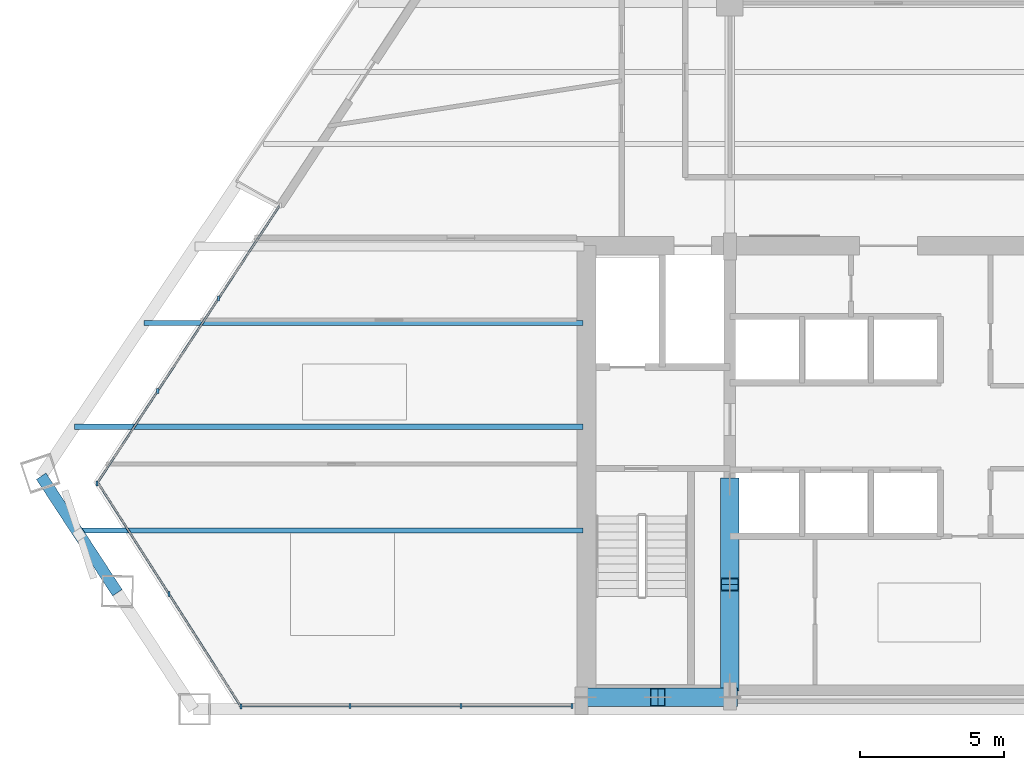
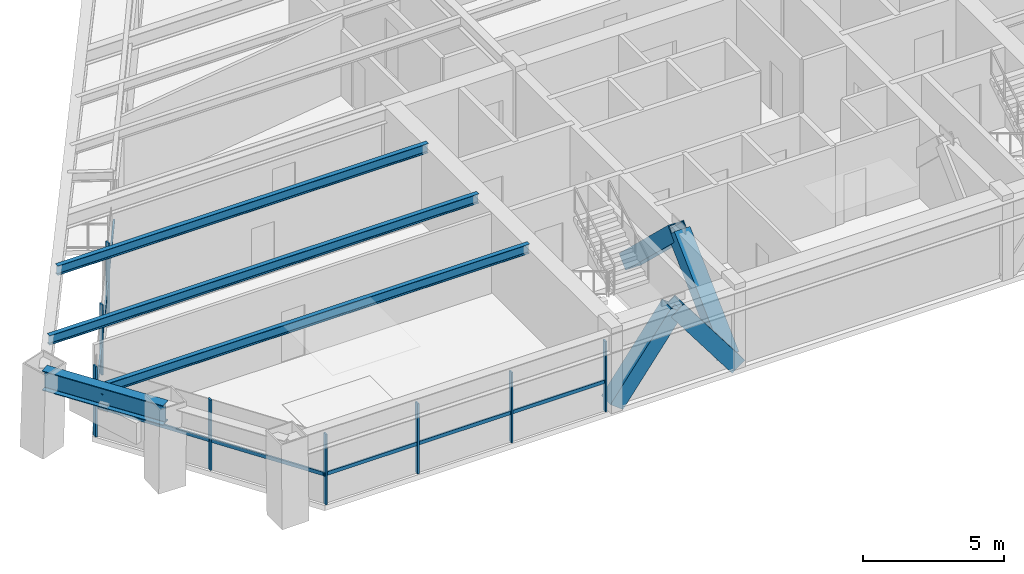
# One storey, part 2 of 14: 20 members, 4 beams, 3 elements without a shape of their own.
"""IFC4 building model written with IfcOpenShell, lengths in metres."""

from ifc_helpers import new_model, si_unit, direction, frame, origin, origin_2d, place, context, subcontext, project, spatial, rectangle, hollow_rectangle, i_section, extrude, source, transform, mapped, material, material_profile, profile_set, type_object, element, aggregate, save


model = new_model("IFC4")

# Units and contexts
model_context = context("Model", 3, precision=1e-05, world=origin(), true_north=direction((0.0, 1.0)))
body_context = subcontext(model_context, "Body", "Model", "MODEL_VIEW")
ifc_project = project(units=[si_unit("LENGTHUNIT", "METRE"), si_unit("AREAUNIT", "SQUARE_METRE"), si_unit("VOLUMEUNIT", "CUBIC_METRE"), si_unit("PLANEANGLEUNIT", "RADIAN"), si_unit("MASSUNIT", "GRAM", prefix="KILO")], contexts=[model_context])

# Site, building, storey
site_placement = place(None, origin())
site = spatial("IfcSite", under=ifc_project, at=site_placement, CompositionType="ELEMENT")
building_placement = place(site_placement, origin())
building = spatial("IfcBuilding", under=site, at=building_placement, Name="Varnakhor Terracotta Tower", CompositionType="ELEMENT")
storey_placement = place(building_placement, frame((0.0, 0.0, 129.300048828125)))
storey = spatial("IfcBuildingStorey", under=building, at=storey_placement, Name="L32", CompositionType="ELEMENT", Elevation=129.300048828125)

# Member
ifc_material_1 = material(Name="Steel S460", Category="steel")
ifc_material_profile_1 = material_profile(ifc_material_1, hollow_rectangle(XDim=0.64990234375, YDim=0.64990234375, WallThickness=0.0400390625, at=origin_2d()), Name="HSS650X650X40")
ifc_profile_set_1 = profile_set([ifc_material_profile_1], Name="Steel S460")
member_type_1 = type_object("IfcMemberType", Name="MBR-MEGA-650", PredefinedType="BRACE", material=ifc_profile_set_1)
shared_shape_1 = source(origin(), body_context, "Body", "SweptSolid", [
    extrude(hollow_rectangle(XDim=0.64990234375, YDim=0.64990234375, WallThickness=0.0400390625, at=origin_2d()), origin(), (0.0, 0.0, 1.0), 4.805908203125),
])
member_1_placement = place(storey_placement, frame((-5.5, 0.85009765625, 0.0), z_axis=(0.0, 0.723026776832, 0.69082000549), x_axis=(-1.0, 0.0, 0.0)))
element("IfcMember", 1, at=member_1_placement, inside=storey, type_object=member_type_1, Name="L32 Core Coupled Brace CWWA", PredefinedType="BRACE", context=body_context, shape_type="MappedRepresentation", body=[
    mapped(shared_shape_1, transform((0.0, 0.0, 0.0), scale=1.0)),
])

# Beams
ifc_material_2 = material(Name="Steel S355", Category="steel")
ifc_material_profile_2 = material_profile(ifc_material_2, i_section(OverallWidth=0.39990234375, OverallDepth=0.85498046875, WebThickness=0.01806640625, FlangeThickness=0.029052734375, FilletRadius=0.01806640625, at=origin_2d()), Name="W33X201")
ifc_profile_set_2 = profile_set([ifc_material_profile_2], Name="Steel S355")
beam_type_1 = type_object("IfcBeamType", Name="BM-W33X201", PredefinedType="BEAM", material=ifc_profile_set_2)
shared_shape_2 = source(origin(), body_context, "Body", "SweptSolid", [
    extrude(i_section(OverallWidth=0.39990234375, OverallDepth=0.85498046875, WebThickness=0.01806640625, FlangeThickness=0.029052734375, FilletRadius=0.01806640625, at=origin_2d()), origin(), (0.0, 0.0, 1.0), 4.828369140625),
])
beam_1_placement = place(storey_placement, frame((-29.383056640625, 8.08203125, 3.04248046875), z_axis=(0.54730385558, -0.836933981666, 0.0), x_axis=(0.836933981666, 0.54730385558, 0.0)))
element("IfcBeam", 2, at=beam_1_placement, inside=storey, type_object=beam_type_1, Name="L32 Perimeter Spandrel 7", PredefinedType="BEAM", context=body_context, shape_type="MappedRepresentation", body=[
    mapped(shared_shape_2, transform((0.0, 0.0, 0.0), scale=1.0)),
])
ifc_material_profile_3 = material_profile(ifc_material_2, i_section(OverallWidth=0.179931640625, OverallDepth=0.4130859375, WebThickness=0.009765625, FlangeThickness=0.01611328125, FilletRadius=0.01806640625, at=origin_2d()), Name="W16X50")
ifc_profile_set_3 = profile_set([ifc_material_profile_3], Name="Steel S355")
beam_type_2 = type_object("IfcBeamType", Name="JST-W16X50", PredefinedType="JOIST", material=ifc_profile_set_3)
shared_shape_3 = source(origin(), body_context, "Body", "SweptSolid", [
    extrude(i_section(OverallWidth=0.179931640625, OverallDepth=0.4130859375, WebThickness=0.009765625, FlangeThickness=0.01611328125, FilletRadius=0.01806640625, at=origin_2d()), origin(), (0.0, 0.0, 1.0), 17.55224609375),
])
beam_2_placement = place(storey_placement, frame((-28.15234375, 6.199951171875, 3.263427734375), z_axis=(1.0, 0.0, 0.0), x_axis=(0.0, 1.0, 0.0)))
element("IfcBeam", 3, at=beam_2_placement, inside=storey, type_object=beam_type_2, Name="L32 Floor Joist W1", PredefinedType="JOIST", context=body_context, shape_type="MappedRepresentation", body=[
    mapped(shared_shape_3, transform((0.0, 0.0, 0.0), scale=1.0)),
])
shared_shape_4 = source(origin(), body_context, "Body", "SweptSolid", [
    extrude(i_section(OverallWidth=0.179931640625, OverallDepth=0.4130859375, WebThickness=0.009765625, FlangeThickness=0.01611328125, FilletRadius=0.01806640625, at=origin_2d()), origin(), (0.0, 0.0, 1.0), 17.631591796875),
])
beam_3_placement = place(storey_placement, frame((-28.231689453125, 9.800048828125, 3.263427734375), z_axis=(1.0, 0.0, 0.0), x_axis=(0.0, 1.0, 0.0)))
element("IfcBeam", 4, at=beam_3_placement, inside=storey, type_object=beam_type_2, Name="L32 Floor Joist W2", PredefinedType="JOIST", context=body_context, shape_type="MappedRepresentation", body=[
    mapped(shared_shape_4, transform((0.0, 0.0, 0.0), scale=1.0)),
])
shared_shape_5 = source(origin(), body_context, "Body", "SweptSolid", [
    extrude(i_section(OverallWidth=0.179931640625, OverallDepth=0.4130859375, WebThickness=0.009765625, FlangeThickness=0.01611328125, FilletRadius=0.01806640625, at=origin_2d()), origin(), (0.0, 0.0, 1.0), 15.21923828125),
])
beam_4_placement = place(storey_placement, frame((-25.8193359375, 13.39990234375, 3.263427734375), z_axis=(1.0, 0.0, 0.0), x_axis=(0.0, 1.0, 0.0)))
element("IfcBeam", 5, at=beam_4_placement, inside=storey, type_object=beam_type_2, Name="L32 Floor Joist W3", PredefinedType="JOIST", context=body_context, shape_type="MappedRepresentation", body=[
    mapped(shared_shape_5, transform((0.0, 0.0, 0.0), scale=1.0)),
])

# Members
shared_shape_6 = source(origin(), body_context, "Body", "SweptSolid", [
    extrude(hollow_rectangle(XDim=0.64990234375, YDim=0.64990234375, WallThickness=0.0400390625, at=origin_2d()), origin(), (0.0, 0.0, 1.0), 4.156005859375),
])
for number, where, z_axis, x_axis, name in (
    (6, (-10.5, 0.419921875, 0.0), (0.601530923869, 0.0, 0.798849515009), (0.0, 1.0, 0.0), "L32 Core Coupled Brace CSWA"),
    (7, (-5.5, 0.419921875, 0.0), (-0.601530923869, 0.0, 0.798849515009), (0.0, -1.0, 0.0), "L32 Core Coupled Brace CSWB"),
):
    element("IfcMember", number, at=place(storey_placement, frame(where, z_axis=z_axis, x_axis=x_axis)), inside=storey, type_object=member_type_1, Name=name, PredefinedType="BRACE", context=body_context, shape_type="MappedRepresentation", body=[
        mapped(shared_shape_6, transform((0.0, 0.0, 0.0), scale=1.0)),
    ])
shared_shape_7 = source(origin(), body_context, "Body", "SweptSolid", [
    extrude(hollow_rectangle(XDim=0.64990234375, YDim=0.64990234375, WallThickness=0.0400390625, at=origin_2d()), origin(), (0.0, 0.0, 1.0), 4.80615234375),
])
member_2_placement = place(storey_placement, frame((-5.5, 7.800048828125, 0.0), z_axis=(0.0, -0.723051018573, 0.690794632681), x_axis=(1.0, 0.0, 0.0)))
element("IfcMember", 8, at=member_2_placement, inside=storey, type_object=member_type_1, Name="L32 Core Coupled Brace CWWB", PredefinedType="BRACE", context=body_context, shape_type="MappedRepresentation", body=[
    mapped(shared_shape_7, transform((0.0, 0.0, 0.0), scale=1.0)),
])

# Curtain wall, members
ifc_material_3 = material(Name="Anodised Aluminium Curtain Wall System", Category="aluminium")
curtain_wall_type = type_object("IfcCurtainWallType", Name="CW-SYS-MID-OFFICE", PredefinedType="NOTDEFINED", material=ifc_material_3)
curtain_wall_1_placement = place(storey_placement, origin())
curtain_wall_1 = element("IfcCurtainWall", 9, at=curtain_wall_1_placement, inside=storey, type_object=curtain_wall_type, Name="L32 W Facet Curtain Wall 1", PredefinedType="NOTDEFINED")
ifc_material_4 = material(Name="Anodised Aluminium 6063-T6", Category="aluminium")
ifc_material_profile_4 = material_profile(ifc_material_4, rectangle(XDim=0.070068359375, YDim=0.175048828125, at=origin_2d()), Name="ALU MULLION 70x175")
ifc_profile_set_4 = profile_set([ifc_material_profile_4], Name="Anodised Aluminium 6063-T6")
member_type_2 = type_object("IfcMemberType", Name="CWM-03", PredefinedType="MULLION", material=ifc_profile_set_4)
shared_shape_8 = source(origin(), body_context, "Body", "SweptSolid", [
    extrude(rectangle(XDim=0.070068359375, YDim=0.175048828125, at=origin_2d()), origin(), (0.0, 0.0, 1.0), 3.050048828125),
])
member_3_placement = place(storey_placement, frame((-27.448486328125, 7.826904296875, 0.0), z_axis=(0.0, 0.0, 1.0), x_axis=(1.0, 0.0, 0.0)))
member_3 = element("IfcMember", 10, at=member_3_placement, type_object=member_type_2, Name="L32 W Facet Curtain Wall 1 Mullion 1", PredefinedType="MULLION", context=body_context, shape_type="MappedRepresentation", body=[
    mapped(shared_shape_8, transform((0.0, 0.0, 0.0), scale=1.0)),
])
member_4_placement = place(storey_placement, frame((-25.340576171875, 11.034912109375, 0.0), z_axis=(0.0, 0.0, 1.0), x_axis=(1.0, 0.0, 0.0)))
member_4 = element("IfcMember", 11, at=member_4_placement, type_object=member_type_2, Name="L32 W Facet Curtain Wall 1 Mullion 2", PredefinedType="MULLION", context=body_context, shape_type="MappedRepresentation", body=[
    mapped(shared_shape_8, transform((0.0, 0.0, 0.0), scale=1.0)),
])
member_5_placement = place(storey_placement, frame((-23.232666015625, 14.242431640625, 0.0), z_axis=(0.0, 0.0, 1.0), x_axis=(1.0, 0.0, 0.0)))
member_5 = element("IfcMember", 12, at=member_5_placement, type_object=member_type_2, Name="L32 W Facet Curtain Wall 1 Mullion 3", PredefinedType="MULLION", context=body_context, shape_type="MappedRepresentation", body=[
    mapped(shared_shape_8, transform((0.0, 0.0, 0.0), scale=1.0)),
])

curtain_wall_2_placement = place(storey_placement, origin())
curtain_wall_2 = element("IfcCurtainWall", 13, at=curtain_wall_2_placement, inside=storey, type_object=curtain_wall_type, Name="L32 South Wing Curtain Wall SSW", PredefinedType="NOTDEFINED")
member_6_placement = place(storey_placement, frame((-10.969970703125, 0.1201171875, 0.0), z_axis=(0.0, 0.0, 1.0), x_axis=(1.0, 0.0, 0.0)))
member_6 = element("IfcMember", 14, at=member_6_placement, type_object=member_type_2, Name="L32 South Wing Curtain Wall SSW Mullion 1", PredefinedType="MULLION", context=body_context, shape_type="MappedRepresentation", body=[
    mapped(shared_shape_8, transform((0.0, 0.0, 0.0), scale=1.0)),
])
member_7_placement = place(storey_placement, frame((-14.823486328125, 0.1201171875, 0.0), z_axis=(0.0, 0.0, 1.0), x_axis=(1.0, 0.0, 0.0)))
member_7 = element("IfcMember", 15, at=member_7_placement, type_object=member_type_2, Name="L32 South Wing Curtain Wall SSW Mullion 2", PredefinedType="MULLION", context=body_context, shape_type="MappedRepresentation", body=[
    mapped(shared_shape_8, transform((0.0, 0.0, 0.0), scale=1.0)),
])
member_8_placement = place(storey_placement, frame((-18.6767578125, 0.1201171875, 0.0), z_axis=(0.0, 0.0, 1.0), x_axis=(1.0, 0.0, 0.0)))
member_8 = element("IfcMember", 16, at=member_8_placement, type_object=member_type_2, Name="L32 South Wing Curtain Wall SSW Mullion 3", PredefinedType="MULLION", context=body_context, shape_type="MappedRepresentation", body=[
    mapped(shared_shape_8, transform((0.0, 0.0, 0.0), scale=1.0)),
])

curtain_wall_3_placement = place(storey_placement, origin())
curtain_wall_3 = element("IfcCurtainWall", 17, at=curtain_wall_3_placement, inside=storey, type_object=curtain_wall_type, Name="L32 Facet Curtain Wall 6", PredefinedType="NOTDEFINED")
member_9_placement = place(storey_placement, frame((-22.455078125, 0.08984375, 0.0), z_axis=(0.0, 0.0, 1.0), x_axis=(1.0, 0.0, 0.0)))
member_9 = element("IfcMember", 18, at=member_9_placement, type_object=member_type_2, Name="L32 Facet Curtain Wall 6 Mullion 1", PredefinedType="MULLION", context=body_context, shape_type="MappedRepresentation", body=[
    mapped(shared_shape_8, transform((0.0, 0.0, 0.0), scale=1.0)),
])
member_10_placement = place(storey_placement, frame((-24.95166015625, 3.99853515625, 0.0), z_axis=(0.0, 0.0, 1.0), x_axis=(1.0, 0.0, 0.0)))
member_10 = element("IfcMember", 19, at=member_10_placement, type_object=member_type_2, Name="L32 Facet Curtain Wall 6 Mullion 2", PredefinedType="MULLION", context=body_context, shape_type="MappedRepresentation", body=[
    mapped(shared_shape_8, transform((0.0, 0.0, 0.0), scale=1.0)),
])

# Member
ifc_material_profile_5 = material_profile(ifc_material_4, rectangle(XDim=0.070068359375, YDim=0.155029296875, at=origin_2d()), Name="ALU TRANSOM 70x155")
ifc_profile_set_5 = profile_set([ifc_material_profile_5], Name="Anodised Aluminium 6063-T6")
member_type_3 = type_object("IfcMemberType", Name="CWT-03", PredefinedType="USERDEFINED", material=ifc_profile_set_5)
shared_shape_9 = source(origin(), body_context, "Body", "SweptSolid", [
    extrude(rectangle(XDim=0.070068359375, YDim=0.155029296875, at=origin_2d()), origin(), (0.0, 0.0, 1.0), 3.838623046875),
])
member_11_placement = place(storey_placement, frame((-27.448486328125, 7.826904296875, 1.281005859375), z_axis=(0.549139811908, 0.835730499012, 0.0), x_axis=(-0.835730499012, 0.549139811908, 0.0)))
member_11 = element("IfcMember", 20, at=member_11_placement, type_object=member_type_3, Name="L32 W Facet Curtain Wall 1 Transom 1", ObjectType="TRANSOM", PredefinedType="USERDEFINED", context=body_context, shape_type="MappedRepresentation", body=[
    mapped(shared_shape_9, transform((0.0, 0.0, 0.0), scale=1.0)),
])

shared_shape_10 = source(origin(), body_context, "Body", "SweptSolid", [
    extrude(rectangle(XDim=0.070068359375, YDim=0.155029296875, at=origin_2d()), origin(), (0.0, 0.0, 1.0), 3.838134765625),
])
member_12_placement = place(storey_placement, frame((-25.340576171875, 11.034912109375, 1.281005859375), z_axis=(0.549198194889, 0.835692133941, 0.0), x_axis=(-0.835692133941, 0.549198194889, 0.0)))
member_12 = element("IfcMember", 21, at=member_12_placement, type_object=member_type_3, Name="L32 W Facet Curtain Wall 1 Transom 2", ObjectType="TRANSOM", PredefinedType="USERDEFINED", context=body_context, shape_type="MappedRepresentation", body=[
    mapped(shared_shape_10, transform((0.0, 0.0, 0.0), scale=1.0)),
])

shared_shape_11 = source(origin(), body_context, "Body", "SweptSolid", [
    extrude(rectangle(XDim=0.070068359375, YDim=0.155029296875, at=origin_2d()), origin(), (0.0, 0.0, 1.0), 3.83837890625),
])
member_13_placement = place(storey_placement, frame((-23.232666015625, 14.242431640625, 1.281005859375), z_axis=(0.549213422716, 0.835682126354, 0.0), x_axis=(-0.835682126354, 0.549213422716, 0.0)))
member_13 = element("IfcMember", 22, at=member_13_placement, type_object=member_type_3, Name="L32 W Facet Curtain Wall 1 Transom 3", ObjectType="TRANSOM", PredefinedType="USERDEFINED", context=body_context, shape_type="MappedRepresentation", body=[
    mapped(shared_shape_11, transform((0.0, 0.0, 0.0), scale=1.0)),
])

aggregate(curtain_wall_1, [member_3, member_11, member_4, member_12, member_5, member_13])

shared_shape_12 = source(origin(), body_context, "Body", "SweptSolid", [
    extrude(rectangle(XDim=0.070068359375, YDim=0.155029296875, at=origin_2d()), origin(), (0.0, 0.0, 1.0), 3.853515625),
])
member_14_placement = place(storey_placement, frame((-10.969970703125, 0.1201171875, 1.281005859375), z_axis=(-1.0, 0.0, 0.0), x_axis=(0.0, -1.0, 0.0)))
member_14 = element("IfcMember", 23, at=member_14_placement, type_object=member_type_3, Name="L32 South Wing Curtain Wall SSW Transom 1", ObjectType="TRANSOM", PredefinedType="USERDEFINED", context=body_context, shape_type="MappedRepresentation", body=[
    mapped(shared_shape_12, transform((0.0, 0.0, 0.0), scale=1.0)),
])

member_15_placement = place(storey_placement, frame((-18.6767578125, 0.1201171875, 1.281005859375), z_axis=(-1.0, 0.0, 0.0), x_axis=(0.0, -1.0, 0.0)))
member_15 = element("IfcMember", 24, at=member_15_placement, type_object=member_type_3, Name="L32 South Wing Curtain Wall SSW Transom 3", ObjectType="TRANSOM", PredefinedType="USERDEFINED", context=body_context, shape_type="MappedRepresentation", body=[
    mapped(shared_shape_12, transform((0.0, 0.0, 0.0), scale=1.0)),
])

shared_shape_13 = source(origin(), body_context, "Body", "SweptSolid", [
    extrude(rectangle(XDim=0.070068359375, YDim=0.155029296875, at=origin_2d()), origin(), (0.0, 0.0, 1.0), 3.853271484375),
])
member_16_placement = place(storey_placement, frame((-14.823486328125, 0.1201171875, 1.281005859375), z_axis=(-1.0, 0.0, 0.0), x_axis=(0.0, -1.0, 0.0)))
member_16 = element("IfcMember", 25, at=member_16_placement, type_object=member_type_3, Name="L32 South Wing Curtain Wall SSW Transom 2", ObjectType="TRANSOM", PredefinedType="USERDEFINED", context=body_context, shape_type="MappedRepresentation", body=[
    mapped(shared_shape_13, transform((0.0, 0.0, 0.0), scale=1.0)),
])

aggregate(curtain_wall_2, [member_6, member_14, member_7, member_16, member_8, member_15])

shared_shape_14 = source(origin(), body_context, "Body", "SweptSolid", [
    extrude(rectangle(XDim=0.070068359375, YDim=0.155029296875, at=origin_2d()), origin(), (0.0, 0.0, 1.0), 4.637939453125),
])
member_17_placement = place(storey_placement, frame((-22.455078125, 0.08984375, 1.281005859375), z_axis=(-0.538291666853, 0.842758613956, 0.0), x_axis=(-0.842758613956, -0.538291666853, 0.0)))
member_17 = element("IfcMember", 26, at=member_17_placement, type_object=member_type_3, Name="L32 Facet Curtain Wall 6 Transom 1", ObjectType="TRANSOM", PredefinedType="USERDEFINED", context=body_context, shape_type="MappedRepresentation", body=[
    mapped(shared_shape_14, transform((0.0, 0.0, 0.0), scale=1.0)),
])

shared_shape_15 = source(origin(), body_context, "Body", "SweptSolid", [
    extrude(rectangle(XDim=0.070068359375, YDim=0.155029296875, at=origin_2d()), origin(), (0.0, 0.0, 1.0), 4.6376953125),
])
member_18_placement = place(storey_placement, frame((-24.95166015625, 3.99853515625, 1.281005859375), z_axis=(-0.538278158916, 0.842767241671, 0.0), x_axis=(-0.842767241671, -0.538278158916, 0.0)))
member_18 = element("IfcMember", 27, at=member_18_placement, type_object=member_type_3, Name="L32 Facet Curtain Wall 6 Transom 2", ObjectType="TRANSOM", PredefinedType="USERDEFINED", context=body_context, shape_type="MappedRepresentation", body=[
    mapped(shared_shape_15, transform((0.0, 0.0, 0.0), scale=1.0)),
])

aggregate(curtain_wall_3, [member_9, member_17, member_10, member_18])

save(model, "model.ifc")
